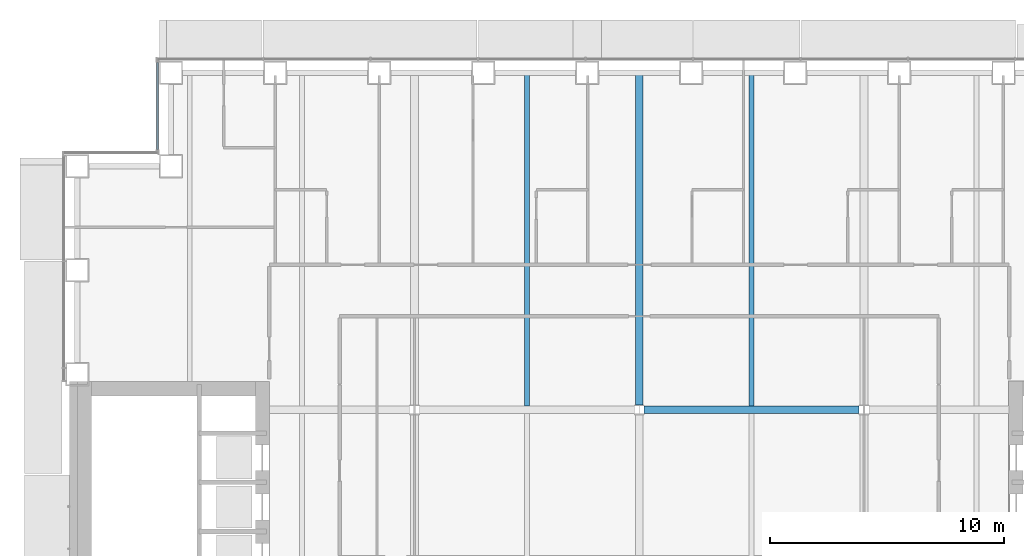
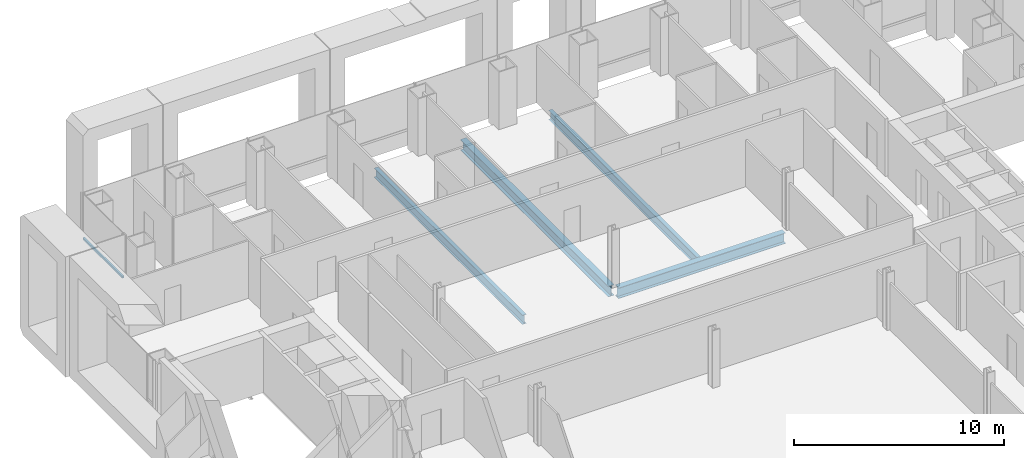
# One storey, part 7 of 25: 4 beams, 1 member, 1 element without a shape of its own.
"""IFC4 building model written with IfcOpenShell, lengths in metres."""

from ifc_helpers import new_model, si_unit, direction, frame, origin, origin_2d, place, context, subcontext, project, spatial, rectangle, i_section, extrude, material, material_profile, profile_set, type_object, element, aggregate, save


model = new_model("IFC4")

# Units and contexts
model_context = context("Model", 3, precision=1e-05, world=origin(), true_north=direction((0.0, 1.0)))
body_context = subcontext(model_context, "Body", "Model", "MODEL_VIEW")
ifc_project = project(units=[si_unit("LENGTHUNIT", "METRE"), si_unit("AREAUNIT", "SQUARE_METRE"), si_unit("VOLUMEUNIT", "CUBIC_METRE"), si_unit("PLANEANGLEUNIT", "RADIAN"), si_unit("MASSUNIT", "GRAM", prefix="KILO")], contexts=[model_context])

# Site, building, storey
site_placement = place(None, origin())
site = spatial("IfcSite", under=ifc_project, at=site_placement, CompositionType="ELEMENT")
building_placement = place(site_placement, origin())
building = spatial("IfcBuilding", under=site, at=building_placement, Name="Cobrizo Arcos Hotel Tower", CompositionType="ELEMENT")
storey_placement = place(building_placement, frame((0.0, 0.0, 46.0)))
storey = spatial("IfcBuildingStorey", under=building, at=storey_placement, Name="L09", CompositionType="ELEMENT", Elevation=46.0)

# Curtain wall, member
ifc_material_1 = material(Name="Aluminium 6063-T6 anodised bronze", Category="aluminium")
curtain_wall_type = type_object("IfcCurtainWallType", Name="CW-A guest facade", PredefinedType="NOTDEFINED", material=ifc_material_1)
curtain_wall_placement = place(storey_placement, origin())
curtain_wall = element("IfcCurtainWall", 1, at=curtain_wall_placement, inside=storey, type_object=curtain_wall_type, Name="CW-A L09 W face", PredefinedType="NOTDEFINED")
ifc_material_profile_1 = material_profile(ifc_material_1, rectangle(XDim=0.10009765625, YDim=0.1201171875, at=origin_2d()), Name="CW-A transom 120x100")
ifc_profile_set_1 = profile_set([ifc_material_profile_1], Name="Aluminium 6063-T6 anodised bronze")
member_type = type_object("IfcMemberType", Name="CW-A transom 120x100", PredefinedType="USERDEFINED", material=ifc_profile_set_1)
member_placement = place(storey_placement, frame((-20.574951171875, 24.43994140625, 0.929931640625), z_axis=(0.0, -1.0, 0.0), x_axis=(1.0, 0.0, 0.0)))
member = element("IfcMember", 2, at=member_placement, type_object=member_type, Name="CW-A transom 465", ObjectType="TRANSOM", PredefinedType="USERDEFINED", context=body_context, shape_type="SweptSolid", body=[
    extrude(rectangle(XDim=0.10009765625, YDim=0.1201171875, at=origin_2d()), origin(), (0.0, 0.0, 1.0), 3.72998046875),
])
aggregate(curtain_wall, [member])

# Beams
ifc_material_2 = material(Name="Steel ASTM A992 Grade 50", Category="steel")
ifc_material_profile_2 = material_profile(ifc_material_2, i_section(OverallWidth=0.209228515625, OverallDepth=0.533447265625, WebThickness=0.01025390625, FlangeThickness=0.015625, at=origin_2d()), Name="W21X62")
ifc_profile_set_2 = profile_set([ifc_material_profile_2], Name="Steel ASTM A992 Grade 50")
beam_type_1 = type_object("IfcBeamType", Name="W21X62 joist", PredefinedType="JOIST", material=ifc_profile_set_2)
for number, where, z_axis, x_axis, name in (
    (3, (-4.800048828125, 9.763916015625, -0.416748046875), (0.0, 1.0, 0.0), (-1.0, 0.0, 0.0), "Floor joist J1, L09, no. 010"),
    (4, (4.800048828125, 9.763916015625, -0.416748046875), (0.0, 1.0, 0.0), (-1.0, 0.0, 0.0), "Floor joist J1, L09, no. 014"),
):
    element("IfcBeam", number, at=place(storey_placement, frame(where, z_axis=z_axis, x_axis=x_axis)), inside=storey, type_object=beam_type_1, Name=name, PredefinedType="JOIST", context=body_context, shape_type="SweptSolid", body=[
        extrude(i_section(OverallWidth=0.209228515625, OverallDepth=0.533447265625, WebThickness=0.01025390625, FlangeThickness=0.015625, at=origin_2d()), origin(), (0.0, 0.0, 1.0), 14.14599609375),
    ])
ifc_material_profile_3 = material_profile(ifc_material_2, i_section(OverallWidth=0.32763671875, OverallDepth=0.622314453125, WebThickness=0.015380859375, FlangeThickness=0.0244140625, at=origin_2d()), Name="W24X131")
ifc_profile_set_3 = profile_set([ifc_material_profile_3], Name="Steel ASTM A992 Grade 50")
beam_type_2 = type_object("IfcBeamType", Name="W24X131 girder", PredefinedType="BEAM", material=ifc_profile_set_3)
beam_1_placement = place(storey_placement, frame((0.204345703125, 9.60009765625, -0.461181640625), z_axis=(1.0, 0.0, 0.0), x_axis=(0.0, 1.0, 0.0)))
element("IfcBeam", 5, at=beam_1_placement, inside=storey, type_object=beam_type_2, Name="Floor girder G1, L09, no. 011", PredefinedType="BEAM", context=body_context, shape_type="SweptSolid", body=[
    extrude(i_section(OverallWidth=0.32763671875, OverallDepth=0.622314453125, WebThickness=0.015380859375, FlangeThickness=0.0244140625, at=origin_2d()), origin(), (0.0, 0.0, 1.0), 9.191162109375),
])
beam_2_placement = place(storey_placement, frame((0.0, 9.804443359375, -0.461181640625), z_axis=(0.0, 1.0, 0.0), x_axis=(-1.0, 0.0, 0.0)))
element("IfcBeam", 6, at=beam_2_placement, inside=storey, type_object=beam_type_2, Name="Floor girder G1, L09, no. 020", PredefinedType="BEAM", context=body_context, shape_type="SweptSolid", body=[
    extrude(i_section(OverallWidth=0.32763671875, OverallDepth=0.622314453125, WebThickness=0.015380859375, FlangeThickness=0.0244140625, at=origin_2d()), origin(), (0.0, 0.0, 1.0), 14.10546875),
])

save(model, "model.ifc")
